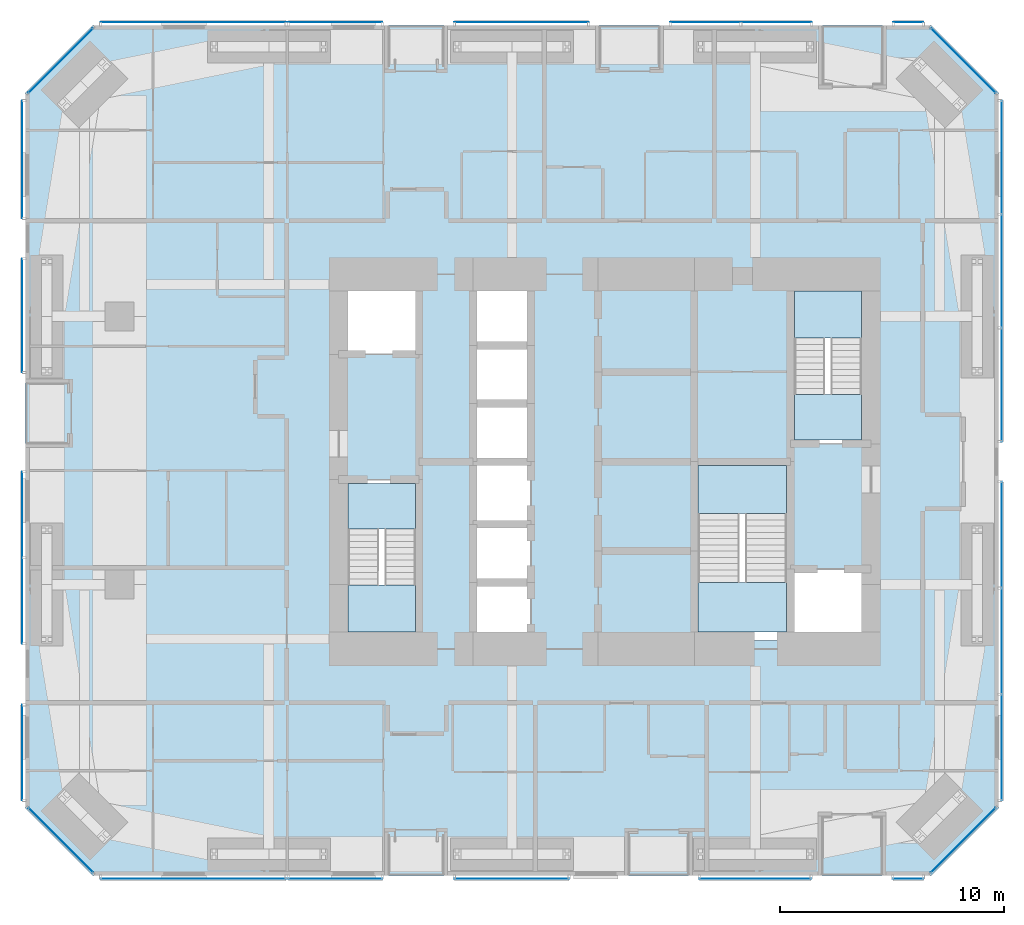
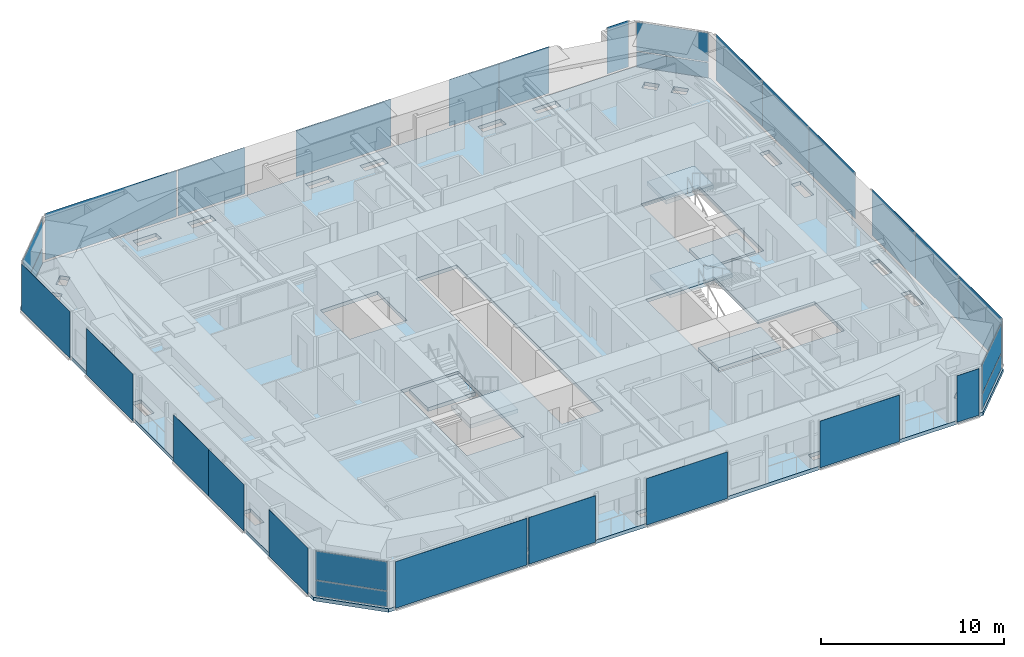
# One storey, part 16 of 25: 30 plates, 7 slabs, 23 elements without a shape of their own.
"""IFC4 building model written with IfcOpenShell, lengths in metres."""

from ifc_helpers import new_model, si_unit, direction, frame, origin, origin_2d, place, context, subcontext, project, spatial, polyline, rectangle, outline, extrude, material, layer, layer_set, type_object, element, aggregate, save


model = new_model("IFC4")

# Units and contexts
model_context = context("Model", 3, precision=1e-05, world=origin(), true_north=direction((0.0, 1.0)))
body_context = subcontext(model_context, "Body", "Model", "MODEL_VIEW")
ifc_project = project(units=[si_unit("LENGTHUNIT", "METRE"), si_unit("AREAUNIT", "SQUARE_METRE"), si_unit("VOLUMEUNIT", "CUBIC_METRE"), si_unit("PLANEANGLEUNIT", "RADIAN"), si_unit("MASSUNIT", "GRAM", prefix="KILO")], contexts=[model_context])

# Site, building, storey
site_placement = place(None, origin())
site = spatial("IfcSite", under=ifc_project, at=site_placement, CompositionType="ELEMENT")
building_placement = place(site_placement, origin())
building = spatial("IfcBuilding", under=site, at=building_placement, Name="Jalousie Tower", CompositionType="ELEMENT")
storey_placement = place(building_placement, frame((0.0, 0.0, 101.5)))
storey = spatial("IfcBuildingStorey", under=building, at=storey_placement, Name="L27", CompositionType="ELEMENT", Elevation=101.5)

# Curtain wall, plates
ifc_material_1 = material(Name="Aluminium curtain wall", Category="aluminium")
curtain_wall_type_1 = type_object("IfcCurtainWallType", Name="CORNER WINDOW WALL", PredefinedType="USERDEFINED", material=ifc_material_1)
curtain_wall_1_placement = place(storey_placement, origin())
curtain_wall_1 = element("IfcCurtainWall", 1, at=curtain_wall_1_placement, inside=storey, type_object=curtain_wall_type_1, Name="Corner Window Wall L27 2", ObjectType="CORNER WINDOW WALL", PredefinedType="USERDEFINED")
ifc_material_2 = material(Name="Laminated impact-rated spandrel glass", Category="glass")
ifc_layer_1 = layer(ifc_material_2, 0.028076171875)
ifc_layer_set_1 = layer_set([ifc_layer_1], Name="Laminated impact-rated spandrel glass")
plate_type_1 = type_object("IfcPlateType", Name="CORNER WINDOW WALL PANEL", PredefinedType="CURTAIN_PANEL", material=ifc_layer_set_1)
plate_1_placement = place(storey_placement, frame((47.9306640625, 1.5693359375, 0.06005859375), z_axis=(0.0, 0.0, 1.0), x_axis=(0.707106781187, 0.707106781187, 0.0)))
plate_1 = element("IfcPlate", 2, at=plate_1_placement, type_object=plate_type_1, Name="CW-C panel 1.1", PredefinedType="CURTAIN_PANEL", context=body_context, shape_type="SweptSolid", body=[
    extrude(rectangle(XDim=4.071533203125, YDim=0.028076171875, at=origin_2d()), origin(), (0.0, 0.0, 1.0), 1.010009765625),
])
plate_2_placement = place(storey_placement, frame((47.9306640625, 1.5693359375, 1.130126953125), z_axis=(0.0, 0.0, 1.0), x_axis=(0.707106781187, 0.707106781187, 0.0)))
plate_2 = element("IfcPlate", 3, at=plate_2_placement, type_object=plate_type_1, Name="CW-C panel 1.2", PredefinedType="CURTAIN_PANEL", context=body_context, shape_type="SweptSolid", body=[
    extrude(rectangle(XDim=4.071533203125, YDim=0.028076171875, at=origin_2d()), origin(), (0.0, 0.0, 1.0), 1.919921875),
])
aggregate(curtain_wall_1, [plate_1, plate_2])

curtain_wall_2_placement = place(storey_placement, origin())
curtain_wall_2 = element("IfcCurtainWall", 4, at=curtain_wall_2_placement, inside=storey, type_object=curtain_wall_type_1, Name="Corner Window Wall L27 4", ObjectType="CORNER WINDOW WALL", PredefinedType="USERDEFINED")
plate_3_placement = place(storey_placement, frame((47.9306640625, 36.4306640625, 0.06005859375), z_axis=(0.0, 0.0, 1.0), x_axis=(-0.707106781187, 0.707106781187, 0.0)))
plate_3 = element("IfcPlate", 5, at=plate_3_placement, type_object=plate_type_1, Name="CW-C panel 1.1", PredefinedType="CURTAIN_PANEL", context=body_context, shape_type="SweptSolid", body=[
    extrude(rectangle(XDim=4.071533203125, YDim=0.028076171875, at=origin_2d()), origin(), (0.0, 0.0, 1.0), 1.010009765625),
])
plate_4_placement = place(storey_placement, frame((47.9306640625, 36.4306640625, 1.130126953125), z_axis=(0.0, 0.0, 1.0), x_axis=(-0.707106781187, 0.707106781187, 0.0)))
plate_4 = element("IfcPlate", 6, at=plate_4_placement, type_object=plate_type_1, Name="CW-C panel 1.2", PredefinedType="CURTAIN_PANEL", context=body_context, shape_type="SweptSolid", body=[
    extrude(rectangle(XDim=4.071533203125, YDim=0.028076171875, at=origin_2d()), origin(), (0.0, 0.0, 1.0), 1.919921875),
])
aggregate(curtain_wall_2, [plate_3, plate_4])

curtain_wall_3_placement = place(storey_placement, origin())
curtain_wall_3 = element("IfcCurtainWall", 7, at=curtain_wall_3_placement, inside=storey, type_object=curtain_wall_type_1, Name="Corner Window Wall L27 6", ObjectType="CORNER WINDOW WALL", PredefinedType="USERDEFINED")
plate_5_placement = place(storey_placement, frame((7.5693359375, 36.4306640625, 0.06005859375), z_axis=(0.0, 0.0, 1.0), x_axis=(-0.707106781187, -0.707106781187, 0.0)))
plate_5 = element("IfcPlate", 8, at=plate_5_placement, type_object=plate_type_1, Name="CW-C panel 1.1", PredefinedType="CURTAIN_PANEL", context=body_context, shape_type="SweptSolid", body=[
    extrude(rectangle(XDim=4.071533203125, YDim=0.028076171875, at=origin_2d()), origin(), (0.0, 0.0, 1.0), 1.010009765625),
])
plate_6_placement = place(storey_placement, frame((7.5693359375, 36.4306640625, 1.130126953125), z_axis=(0.0, 0.0, 1.0), x_axis=(-0.707106781187, -0.707106781187, 0.0)))
plate_6 = element("IfcPlate", 9, at=plate_6_placement, type_object=plate_type_1, Name="CW-C panel 1.2", PredefinedType="CURTAIN_PANEL", context=body_context, shape_type="SweptSolid", body=[
    extrude(rectangle(XDim=4.071533203125, YDim=0.028076171875, at=origin_2d()), origin(), (0.0, 0.0, 1.0), 1.919921875),
])
aggregate(curtain_wall_3, [plate_5, plate_6])

curtain_wall_4_placement = place(storey_placement, origin())
curtain_wall_4 = element("IfcCurtainWall", 10, at=curtain_wall_4_placement, inside=storey, type_object=curtain_wall_type_1, Name="Corner Window Wall L27 8", ObjectType="CORNER WINDOW WALL", PredefinedType="USERDEFINED")
plate_7_placement = place(storey_placement, frame((7.5693359375, 1.5693359375, 0.06005859375), z_axis=(0.0, 0.0, 1.0), x_axis=(0.707106781187, -0.707106781187, 0.0)))
plate_7 = element("IfcPlate", 11, at=plate_7_placement, type_object=plate_type_1, Name="CW-C panel 1.1", PredefinedType="CURTAIN_PANEL", context=body_context, shape_type="SweptSolid", body=[
    extrude(rectangle(XDim=4.071533203125, YDim=0.028076171875, at=origin_2d()), origin(), (0.0, 0.0, 1.0), 1.010009765625),
])
plate_8_placement = place(storey_placement, frame((7.5693359375, 1.5693359375, 1.130126953125), z_axis=(0.0, 0.0, 1.0), x_axis=(0.707106781187, -0.707106781187, 0.0)))
plate_8 = element("IfcPlate", 12, at=plate_8_placement, type_object=plate_type_1, Name="CW-C panel 1.2", PredefinedType="CURTAIN_PANEL", context=body_context, shape_type="SweptSolid", body=[
    extrude(rectangle(XDim=4.071533203125, YDim=0.028076171875, at=origin_2d()), origin(), (0.0, 0.0, 1.0), 1.919921875),
])
aggregate(curtain_wall_4, [plate_7, plate_8])

# Slab
ifc_material_3 = material(Name="Concrete f'c 40 MPa", Category="concrete")
ifc_layer_2 = layer(ifc_material_3, 0.239990234375)
ifc_layer_set_2 = layer_set([ifc_layer_2], Name="Concrete f'c 40 MPa")
slab_type_1 = type_object("IfcSlabType", Name="FLOOR SLAB 240", PredefinedType="FLOOR", material=ifc_layer_set_2)
slab_1_placement = place(storey_placement, frame((0.0, 0.0, -0.239990234375)))
element("IfcSlab", 13, at=slab_1_placement, inside=storey, type_object=slab_type_1, Name="L27 floor slab", PredefinedType="FLOOR", context=body_context, shape_type="SweptSolid", body=[
    extrude(outline(polyline([(9.0, 0.0), (46.5, 0.0), (49.5, 3.0), (49.5, 35.0), (46.5, 38.0), (9.0, 38.0), (6.0, 35.0), (6.0, 3.0), (9.0, 0.0)]), holes=[polyline([(14.425048828125, 1.236083984375), (14.484619140625, 1.236083984375), (15.888916015625, 1.236083984375), (15.888916015625, 0.663818359375), (14.484619140625, 0.663818359375), (14.425048828125, 0.663818359375), (14.425048828125, 1.236083984375)]), polyline([(26.763916015625, 1.236083984375), (26.763916015625, 0.663818359375), (25.359619140625, 0.663818359375), (25.300048828125, 0.663818359375), (25.300048828125, 1.236083984375), (25.359619140625, 1.236083984375), (26.763916015625, 1.236083984375)]), polyline([(17.861083984375, 1.236083984375), (19.265380859375, 1.236083984375), (19.324951171875, 1.236083984375), (19.324951171875, 0.663818359375), (19.265380859375, 0.663818359375), (17.861083984375, 0.663818359375), (17.861083984375, 1.236083984375)]), polyline([(9.717529296875, 1.949951171875), (9.515380859375, 1.74755859375), (9.31298828125, 1.545166015625), (8.71435546875, 2.1435546875), (9.119140625, 2.54833984375), (9.717529296875, 1.949951171875), (9.717529296875, 1.949951171875)]), polyline([(8.1435546875, 2.71435546875), (7.545166015625, 3.31298828125), (7.949951171875, 3.717529296875), (8.041748046875, 3.625732421875), (8.54833984375, 3.119140625), (8.1435546875, 2.71435546875)]), polyline([(7.236083984375, 10.550048828125), (6.663818359375, 10.550048828125), (6.663818359375, 10.609619140625), (6.663818359375, 12.013916015625), (7.236083984375, 12.013916015625), (7.236083984375, 10.609619140625), (7.236083984375, 10.550048828125)]), polyline([(26.0, 10.5), (26.0, 26.5), (28.60009765625, 26.5), (28.60009765625, 10.5), (26.0, 10.5)]), polyline([(20.0, 10.5), (23.60009765625, 10.5), (23.60009765625, 17.699951171875), (20.0, 17.699951171875), (20.0, 10.5)]), polyline([(7.236083984375, 15.390380859375), (7.236083984375, 13.986083984375), (6.663818359375, 13.986083984375), (6.663818359375, 15.390380859375), (6.663818359375, 15.449951171875), (7.236083984375, 15.449951171875), (7.236083984375, 15.390380859375)]), polyline([(6.663818359375, 24.013916015625), (7.236083984375, 24.013916015625), (7.236083984375, 22.609619140625), (7.236083984375, 22.550048828125), (6.663818359375, 22.550048828125), (6.663818359375, 22.609619140625), (6.663818359375, 24.013916015625)]), polyline([(20.0, 23.300048828125), (23.60009765625, 23.300048828125), (23.60009765625, 26.5), (20.0, 26.5), (20.0, 23.300048828125)]), polyline([(7.236083984375, 25.986083984375), (6.663818359375, 25.986083984375), (6.663818359375, 27.390380859375), (6.663818359375, 27.449951171875), (7.236083984375, 27.449951171875), (7.236083984375, 27.390380859375), (7.236083984375, 25.986083984375)]), polyline([(7.545166015625, 34.68701171875), (7.545166015625, 34.68701171875), (7.545166015625, 34.68701171875), (7.6162109375, 34.75830078125), (8.1435546875, 35.28564453125), (8.54833984375, 34.880859375), (8.041748046875, 34.374267578125), (8.041748046875, 34.374267578125), (7.949951171875, 34.282470703125), (7.74755859375, 34.484619140625), (7.545166015625, 34.68701171875)]), polyline([(9.717529296875, 36.050048828125), (9.717529296875, 36.050048828125), (9.717529296875, 36.050048828125), (9.625732421875, 35.958251953125), (9.119140625, 35.45166015625), (8.71435546875, 35.8564453125), (9.220947265625, 36.363037109375), (9.220947265625, 36.363037109375), (9.31298828125, 36.454833984375), (9.515380859375, 36.25244140625), (9.717529296875, 36.050048828125)]), polyline([(26.763916015625, 36.763916015625), (25.359619140625, 36.763916015625), (25.300048828125, 36.763916015625), (25.300048828125, 37.336181640625), (25.359619140625, 37.336181640625), (26.763916015625, 37.336181640625), (26.763916015625, 36.763916015625)]), polyline([(19.324951171875, 37.336181640625), (19.324951171875, 36.763916015625), (19.265380859375, 36.763916015625), (17.861083984375, 36.763916015625), (17.861083984375, 37.336181640625), (19.265380859375, 37.336181640625), (19.324951171875, 37.336181640625)]), polyline([(14.425048828125, 36.763916015625), (14.425048828125, 37.336181640625), (14.484619140625, 37.336181640625), (15.888916015625, 37.336181640625), (15.888916015625, 36.763916015625), (14.484619140625, 36.763916015625), (14.425048828125, 36.763916015625)]), polyline([(28.736083984375, 0.663818359375), (28.736083984375, 1.236083984375), (30.140380859375, 1.236083984375), (30.199951171875, 1.236083984375), (30.199951171875, 0.663818359375), (30.140380859375, 0.663818359375), (28.736083984375, 0.663818359375)]), polyline([(36.234619140625, 0.663818359375), (36.175048828125, 0.663818359375), (36.175048828125, 1.236083984375), (36.234619140625, 1.236083984375), (37.638916015625, 1.236083984375), (37.638916015625, 0.663818359375), (36.234619140625, 0.663818359375)]), polyline([(41.015380859375, 1.236083984375), (41.074951171875, 1.236083984375), (41.074951171875, 0.663818359375), (41.015380859375, 0.663818359375), (39.611083984375, 0.663818359375), (39.611083984375, 1.236083984375), (41.015380859375, 1.236083984375)]), polyline([(46.18701171875, 1.545166015625), (45.782470703125, 1.949951171875), (45.874267578125, 2.041748046875), (46.380859375, 2.54833984375), (46.78564453125, 2.1435546875), (46.279052734375, 1.636962890625), (46.18701171875, 1.545166015625)]), polyline([(47.458251953125, 3.625732421875), (47.550048828125, 3.717529296875), (47.550048828125, 3.717529296875), (47.550048828125, 3.717529296875), (47.75244140625, 3.515380859375), (47.954833984375, 3.31298828125), (47.863037109375, 3.220947265625), (47.863037109375, 3.220947265625), (47.3564453125, 2.71435546875), (46.95166015625, 3.119140625), (47.458251953125, 3.625732421875)]), polyline([(48.836181640625, 10.550048828125), (48.263916015625, 10.550048828125), (48.263916015625, 10.609619140625), (48.263916015625, 12.013916015625), (48.836181640625, 12.013916015625), (48.836181640625, 10.609619140625), (48.836181640625, 10.550048828125)]), polyline([(35.89990234375, 18.5), (40.199951171875, 18.5), (40.199951171875, 13.699951171875), (43.800048828125, 13.699951171875), (43.800048828125, 10.5), (35.89990234375, 10.5), (35.89990234375, 18.5)]), polyline([(48.836181640625, 13.986083984375), (48.263916015625, 13.986083984375), (48.263916015625, 15.390380859375), (48.263916015625, 15.449951171875), (48.836181640625, 15.449951171875), (48.836181640625, 15.390380859375), (48.836181640625, 13.986083984375)]), polyline([(40.199951171875, 19.300048828125), (43.800048828125, 19.300048828125), (43.800048828125, 26.5), (40.199951171875, 26.5), (40.199951171875, 19.300048828125)]), polyline([(48.836181640625, 22.550048828125), (48.263916015625, 22.550048828125), (48.263916015625, 22.609619140625), (48.263916015625, 24.013916015625), (48.836181640625, 24.013916015625), (48.836181640625, 22.609619140625), (48.836181640625, 22.550048828125)]), polyline([(48.836181640625, 27.390380859375), (48.836181640625, 25.986083984375), (48.263916015625, 25.986083984375), (48.263916015625, 27.390380859375), (48.263916015625, 27.449951171875), (48.836181640625, 27.449951171875), (48.836181640625, 27.390380859375)]), polyline([(47.3564453125, 35.28564453125), (47.954833984375, 34.68701171875), (47.550048828125, 34.282470703125), (47.458251953125, 34.374267578125), (46.95166015625, 34.880859375), (47.3564453125, 35.28564453125)]), polyline([(46.380859375, 35.45166015625), (45.874267578125, 35.958251953125), (45.782470703125, 36.050048828125), (46.18701171875, 36.454833984375), (46.78564453125, 35.8564453125), (46.380859375, 35.45166015625)]), polyline([(41.015380859375, 37.336181640625), (41.074951171875, 37.336181640625), (41.074951171875, 36.763916015625), (41.015380859375, 36.763916015625), (39.611083984375, 36.763916015625), (39.611083984375, 37.336181640625), (41.015380859375, 37.336181640625)]), polyline([(37.638916015625, 37.336181640625), (37.638916015625, 36.763916015625), (36.234619140625, 36.763916015625), (36.175048828125, 36.763916015625), (36.175048828125, 37.336181640625), (36.234619140625, 37.336181640625), (37.638916015625, 37.336181640625)]), polyline([(28.736083984375, 37.336181640625), (30.140380859375, 37.336181640625), (30.199951171875, 37.336181640625), (30.199951171875, 36.763916015625), (30.140380859375, 36.763916015625), (28.736083984375, 36.763916015625), (28.736083984375, 37.336181640625)])]), origin(), (0.0, 0.0, 1.0), 0.239990234375),
])

# Curtain wall, plate
ifc_material_4 = material(Name="Perforated aluminium sheet", Category="aluminium")
curtain_wall_type_2 = type_object("IfcCurtainWallType", Name="SOLAR SCREEN SS-1", PredefinedType="USERDEFINED", material=ifc_material_4)
curtain_wall_5_placement = place(storey_placement, origin())
curtain_wall_5 = element("IfcCurtainWall", 14, at=curtain_wall_5_placement, inside=storey, type_object=curtain_wall_type_2, Name="Solar screen L27", ObjectType="SOLAR SCREEN SS-1", PredefinedType="USERDEFINED")
ifc_material_5 = material(Name="Perforated aluminium sheet", Category="aluminium")
ifc_layer_3 = layer(ifc_material_5, 0.006103515625)
ifc_layer_set_3 = layer_set([ifc_layer_3], Name="Perforated aluminium sheet")
plate_type_2 = type_object("IfcPlateType", Name="SOLAR SCREEN SS-1 PANEL", PredefinedType="CURTAIN_PANEL", material=ifc_layer_set_3)
plate_9_placement = place(storey_placement, frame((13.500732421875, -0.150390625, 0.0), z_axis=(0.0, 0.0, 1.0), x_axis=(1.0, 0.0, 0.0)))
plate_9 = element("IfcPlate", 15, at=plate_9_placement, type_object=plate_type_2, Name="SS1 perforated panel 1", PredefinedType="CURTAIN_PANEL", context=body_context, shape_type="SweptSolid", body=[
    extrude(rectangle(XDim=8.298583984375, YDim=0.006103515625, at=origin_2d()), origin(), (0.0, 0.0, 1.0), 3.110107421875),
])
aggregate(curtain_wall_5, [plate_9])

curtain_wall_6_placement = place(storey_placement, origin())
curtain_wall_6 = element("IfcCurtainWall", 16, at=curtain_wall_6_placement, inside=storey, type_object=curtain_wall_type_2, Name="Solar screen L27", ObjectType="SOLAR SCREEN SS-1", PredefinedType="USERDEFINED")
plate_10_placement = place(storey_placement, frame((19.85009765625, -0.150390625, 0.0), z_axis=(0.0, 0.0, 1.0), x_axis=(1.0, 0.0, 0.0)))
plate_10 = element("IfcPlate", 17, at=plate_10_placement, type_object=plate_type_2, Name="SS1 perforated panel 1", PredefinedType="CURTAIN_PANEL", context=body_context, shape_type="SweptSolid", body=[
    extrude(rectangle(XDim=4.199951171875, YDim=0.006103515625, at=origin_2d()), origin(), (0.0, 0.0, 1.0), 3.110107421875),
])
aggregate(curtain_wall_6, [plate_10])

curtain_wall_7_placement = place(storey_placement, origin())
curtain_wall_7 = element("IfcCurtainWall", 18, at=curtain_wall_7_placement, inside=storey, type_object=curtain_wall_type_2, Name="Solar screen L27", ObjectType="SOLAR SCREEN SS-1", PredefinedType="USERDEFINED")
plate_11_placement = place(storey_placement, frame((27.737548828125, -0.150390625, 0.0), z_axis=(0.0, 0.0, 1.0), x_axis=(1.0, 0.0, 0.0)))
plate_11 = element("IfcPlate", 19, at=plate_11_placement, type_object=plate_type_2, Name="SS1 perforated panel 1", PredefinedType="CURTAIN_PANEL", context=body_context, shape_type="SweptSolid", body=[
    extrude(rectangle(XDim=5.125, YDim=0.006103515625, at=origin_2d()), origin(), (0.0, 0.0, 1.0), 3.110107421875),
])
aggregate(curtain_wall_7, [plate_11])

curtain_wall_8_placement = place(storey_placement, origin())
curtain_wall_8 = element("IfcCurtainWall", 20, at=curtain_wall_8_placement, inside=storey, type_object=curtain_wall_type_2, Name="Solar screen L27", ObjectType="SOLAR SCREEN SS-1", PredefinedType="USERDEFINED")
plate_12_placement = place(storey_placement, frame((38.625, -0.150390625, 0.0), z_axis=(0.0, 0.0, 1.0), x_axis=(1.0, 0.0, 0.0)))
plate_12 = element("IfcPlate", 21, at=plate_12_placement, type_object=plate_type_2, Name="SS1 perforated panel 1", PredefinedType="CURTAIN_PANEL", context=body_context, shape_type="SweptSolid", body=[
    extrude(rectangle(XDim=5.0, YDim=0.006103515625, at=origin_2d()), origin(), (0.0, 0.0, 1.0), 3.110107421875),
])
aggregate(curtain_wall_8, [plate_12])

curtain_wall_9_placement = place(storey_placement, origin())
curtain_wall_9 = element("IfcCurtainWall", 22, at=curtain_wall_9_placement, inside=storey, type_object=curtain_wall_type_2, Name="Solar screen L27", ObjectType="SOLAR SCREEN SS-1", PredefinedType="USERDEFINED")
plate_13_placement = place(storey_placement, frame((45.4619140625, -0.150390625, 0.0), z_axis=(0.0, 0.0, 1.0), x_axis=(1.0, 0.0, 0.0)))
plate_13 = element("IfcPlate", 23, at=plate_13_placement, type_object=plate_type_2, Name="SS1 perforated panel 1", PredefinedType="CURTAIN_PANEL", context=body_context, shape_type="SweptSolid", body=[
    extrude(rectangle(XDim=1.373779296875, YDim=0.006103515625, at=origin_2d()), origin(), (0.0, 0.0, 1.0), 3.110107421875),
])
aggregate(curtain_wall_9, [plate_13])

# Curtain wall, plates
curtain_wall_10_placement = place(storey_placement, origin())
curtain_wall_10 = element("IfcCurtainWall", 24, at=curtain_wall_10_placement, inside=storey, type_object=curtain_wall_type_2, Name="Solar screen L27", ObjectType="SOLAR SCREEN SS-1", PredefinedType="USERDEFINED")
plate_14_placement = place(storey_placement, frame((49.650390625, 5.72607421875, 0.0), z_axis=(0.0, 0.0, 1.0), x_axis=(0.0, 1.0, 0.0)))
plate_14 = element("IfcPlate", 25, at=plate_14_placement, type_object=plate_type_2, Name="SS1 perforated panel 1", PredefinedType="CURTAIN_PANEL", context=body_context, shape_type="SweptSolid", body=[
    extrude(rectangle(XDim=4.74951171875, YDim=0.006103515625, at=origin_2d()), origin(), (0.0, 0.0, 1.0), 3.110107421875),
])
plate_15_placement = place(storey_placement, frame((49.650390625, 10.4755859375, 0.0), z_axis=(0.0, 0.0, 1.0), x_axis=(0.0, 1.0, 0.0)))
plate_15 = element("IfcPlate", 26, at=plate_15_placement, type_object=plate_type_2, Name="SS1 perforated panel 2", PredefinedType="CURTAIN_PANEL", context=body_context, shape_type="SweptSolid", body=[
    extrude(rectangle(XDim=4.74951171875, YDim=0.006103515625, at=origin_2d()), origin(), (0.0, 0.0, 1.0), 3.110107421875),
])
plate_16_placement = place(storey_placement, frame((49.650390625, 15.22509765625, 0.0), z_axis=(0.0, 0.0, 1.0), x_axis=(0.0, 1.0, 0.0)))
plate_16 = element("IfcPlate", 27, at=plate_16_placement, type_object=plate_type_2, Name="SS1 perforated panel 3", PredefinedType="CURTAIN_PANEL", context=body_context, shape_type="SweptSolid", body=[
    extrude(rectangle(XDim=4.74951171875, YDim=0.006103515625, at=origin_2d()), origin(), (0.0, 0.0, 1.0), 3.110107421875),
])
aggregate(curtain_wall_10, [plate_14, plate_15, plate_16])

curtain_wall_11_placement = place(storey_placement, origin())
curtain_wall_11 = element("IfcCurtainWall", 28, at=curtain_wall_11_placement, inside=storey, type_object=curtain_wall_type_2, Name="Solar screen L27", ObjectType="SOLAR SCREEN SS-1", PredefinedType="USERDEFINED")
plate_17_placement = place(storey_placement, frame((49.650390625, 21.94140625, 0.0), z_axis=(0.0, 0.0, 1.0), x_axis=(0.0, 1.0, 0.0)))
plate_17 = element("IfcPlate", 29, at=plate_17_placement, type_object=plate_type_2, Name="SS1 perforated panel 1", PredefinedType="CURTAIN_PANEL", context=body_context, shape_type="SweptSolid", body=[
    extrude(rectangle(XDim=5.0830078125, YDim=0.006103515625, at=origin_2d()), origin(), (0.0, 0.0, 1.0), 3.110107421875),
])
plate_18_placement = place(storey_placement, frame((49.650390625, 27.0244140625, 0.0), z_axis=(0.0, 0.0, 1.0), x_axis=(0.0, 1.0, 0.0)))
plate_18 = element("IfcPlate", 30, at=plate_18_placement, type_object=plate_type_2, Name="SS1 perforated panel 2", PredefinedType="CURTAIN_PANEL", context=body_context, shape_type="SweptSolid", body=[
    extrude(rectangle(XDim=5.0830078125, YDim=0.006103515625, at=origin_2d()), origin(), (0.0, 0.0, 1.0), 3.110107421875),
])
plate_19_placement = place(storey_placement, frame((49.650390625, 32.107177734375, 0.0), z_axis=(0.0, 0.0, 1.0), x_axis=(0.0, 1.0, 0.0)))
plate_19 = element("IfcPlate", 31, at=plate_19_placement, type_object=plate_type_2, Name="SS1 perforated panel 3", PredefinedType="CURTAIN_PANEL", context=body_context, shape_type="SweptSolid", body=[
    extrude(rectangle(XDim=5.0830078125, YDim=0.006103515625, at=origin_2d()), origin(), (0.0, 0.0, 1.0), 3.110107421875),
])
aggregate(curtain_wall_11, [plate_17, plate_18, plate_19])

# Curtain wall, plate
curtain_wall_12_placement = place(storey_placement, origin())
curtain_wall_12 = element("IfcCurtainWall", 32, at=curtain_wall_12_placement, inside=storey, type_object=curtain_wall_type_2, Name="Solar screen L27", ObjectType="SOLAR SCREEN SS-1", PredefinedType="USERDEFINED")
plate_20_placement = place(storey_placement, frame((45.4736328125, 38.150390625, 0.0), z_axis=(0.0, 0.0, 1.0), x_axis=(-1.0, 0.0, 0.0)))
plate_20 = element("IfcPlate", 33, at=plate_20_placement, type_object=plate_type_2, Name="SS1 perforated panel 1", PredefinedType="CURTAIN_PANEL", context=body_context, shape_type="SweptSolid", body=[
    extrude(rectangle(XDim=1.35009765625, YDim=0.006103515625, at=origin_2d()), origin(), (0.0, 0.0, 1.0), 3.110107421875),
])
aggregate(curtain_wall_12, [plate_20])

# Curtain wall, plates
curtain_wall_13_placement = place(storey_placement, origin())
curtain_wall_13 = element("IfcCurtainWall", 34, at=curtain_wall_13_placement, inside=storey, type_object=curtain_wall_type_2, Name="Solar screen L27", ObjectType="SOLAR SCREEN SS-1", PredefinedType="USERDEFINED")
plate_21_placement = place(storey_placement, frame((39.56787109375, 38.150390625, 0.0), z_axis=(0.0, 0.0, 1.0), x_axis=(-1.0, 0.0, 0.0)))
plate_21 = element("IfcPlate", 35, at=plate_21_placement, type_object=plate_type_2, Name="SS1 perforated panel 1", PredefinedType="CURTAIN_PANEL", context=body_context, shape_type="SweptSolid", body=[
    extrude(rectangle(XDim=3.161865234375, YDim=0.006103515625, at=origin_2d()), origin(), (0.0, 0.0, 1.0), 3.110107421875),
])
plate_22_placement = place(storey_placement, frame((36.406005859375, 38.150390625, 0.0), z_axis=(0.0, 0.0, 1.0), x_axis=(-1.0, 0.0, 0.0)))
plate_22 = element("IfcPlate", 36, at=plate_22_placement, type_object=plate_type_2, Name="SS1 perforated panel 2", PredefinedType="CURTAIN_PANEL", context=body_context, shape_type="SweptSolid", body=[
    extrude(rectangle(XDim=3.161865234375, YDim=0.006103515625, at=origin_2d()), origin(), (0.0, 0.0, 1.0), 3.110107421875),
])
aggregate(curtain_wall_13, [plate_21, plate_22])

# Curtain wall, plate
curtain_wall_14_placement = place(storey_placement, origin())
curtain_wall_14 = element("IfcCurtainWall", 37, at=curtain_wall_14_placement, inside=storey, type_object=curtain_wall_type_2, Name="Solar screen L27", ObjectType="SOLAR SCREEN SS-1", PredefinedType="USERDEFINED")
plate_23_placement = place(storey_placement, frame((28.175048828125, 38.150390625, 0.0), z_axis=(0.0, 0.0, 1.0), x_axis=(-1.0, 0.0, 0.0)))
plate_23 = element("IfcPlate", 38, at=plate_23_placement, type_object=plate_type_2, Name="SS1 perforated panel 1", PredefinedType="CURTAIN_PANEL", context=body_context, shape_type="SweptSolid", body=[
    extrude(rectangle(XDim=6.0, YDim=0.006103515625, at=origin_2d()), origin(), (0.0, 0.0, 1.0), 3.110107421875),
])
aggregate(curtain_wall_14, [plate_23])

curtain_wall_15_placement = place(storey_placement, origin())
curtain_wall_15 = element("IfcCurtainWall", 39, at=curtain_wall_15_placement, inside=storey, type_object=curtain_wall_type_2, Name="Solar screen L27", ObjectType="SOLAR SCREEN SS-1", PredefinedType="USERDEFINED")
plate_24_placement = place(storey_placement, frame((19.85009765625, 38.150390625, 0.0), z_axis=(0.0, 0.0, 1.0), x_axis=(-1.0, 0.0, 0.0)))
plate_24 = element("IfcPlate", 40, at=plate_24_placement, type_object=plate_type_2, Name="SS1 perforated panel 1", PredefinedType="CURTAIN_PANEL", context=body_context, shape_type="SweptSolid", body=[
    extrude(rectangle(XDim=4.199951171875, YDim=0.006103515625, at=origin_2d()), origin(), (0.0, 0.0, 1.0), 3.110107421875),
])
aggregate(curtain_wall_15, [plate_24])

curtain_wall_16_placement = place(storey_placement, origin())
curtain_wall_16 = element("IfcCurtainWall", 41, at=curtain_wall_16_placement, inside=storey, type_object=curtain_wall_type_2, Name="Solar screen L27", ObjectType="SOLAR SCREEN SS-1", PredefinedType="USERDEFINED")
plate_25_placement = place(storey_placement, frame((13.500732421875, 38.150390625, 0.0), z_axis=(0.0, 0.0, 1.0), x_axis=(-1.0, 0.0, 0.0)))
plate_25 = element("IfcPlate", 42, at=plate_25_placement, type_object=plate_type_2, Name="SS1 perforated panel 1", PredefinedType="CURTAIN_PANEL", context=body_context, shape_type="SweptSolid", body=[
    extrude(rectangle(XDim=8.298583984375, YDim=0.006103515625, at=origin_2d()), origin(), (0.0, 0.0, 1.0), 3.110107421875),
])
aggregate(curtain_wall_16, [plate_25])

curtain_wall_17_placement = place(storey_placement, origin())
curtain_wall_17 = element("IfcCurtainWall", 43, at=curtain_wall_17_placement, inside=storey, type_object=curtain_wall_type_2, Name="Solar screen L27", ObjectType="SOLAR SCREEN SS-1", PredefinedType="USERDEFINED")
plate_26_placement = place(storey_placement, frame((5.849609375, 32.01171875, 0.0), z_axis=(0.0, 0.0, 1.0), x_axis=(0.0, -1.0, 0.0)))
plate_26 = element("IfcPlate", 44, at=plate_26_placement, type_object=plate_type_2, Name="SS1 perforated panel 1", PredefinedType="CURTAIN_PANEL", context=body_context, shape_type="SweptSolid", body=[
    extrude(rectangle(XDim=5.273681640625, YDim=0.006103515625, at=origin_2d()), origin(), (0.0, 0.0, 1.0), 3.110107421875),
])
aggregate(curtain_wall_17, [plate_26])

curtain_wall_18_placement = place(storey_placement, origin())
curtain_wall_18 = element("IfcCurtainWall", 45, at=curtain_wall_18_placement, inside=storey, type_object=curtain_wall_type_2, Name="Solar screen L27", ObjectType="SOLAR SCREEN SS-1", PredefinedType="USERDEFINED")
plate_27_placement = place(storey_placement, frame((5.849609375, 25.03125, 0.0), z_axis=(0.0, 0.0, 1.0), x_axis=(0.0, -1.0, 0.0)))
plate_27 = element("IfcPlate", 46, at=plate_27_placement, type_object=plate_type_2, Name="SS1 perforated panel 1", PredefinedType="CURTAIN_PANEL", context=body_context, shape_type="SweptSolid", body=[
    extrude(rectangle(XDim=5.08740234375, YDim=0.006103515625, at=origin_2d()), origin(), (0.0, 0.0, 1.0), 3.110107421875),
])
aggregate(curtain_wall_18, [plate_27])

# Curtain wall, plates
curtain_wall_19_placement = place(storey_placement, origin())
curtain_wall_19 = element("IfcCurtainWall", 47, at=curtain_wall_19_placement, inside=storey, type_object=curtain_wall_type_2, Name="Solar screen L27", ObjectType="SOLAR SCREEN SS-1", PredefinedType="USERDEFINED")
plate_28_placement = place(storey_placement, frame((5.849609375, 16.1279296875, 0.0), z_axis=(0.0, 0.0, 1.0), x_axis=(0.0, -1.0, 0.0)))
plate_28 = element("IfcPlate", 48, at=plate_28_placement, type_object=plate_type_2, Name="SS1 perforated panel 1", PredefinedType="CURTAIN_PANEL", context=body_context, shape_type="SweptSolid", body=[
    extrude(rectangle(XDim=3.843994140625, YDim=0.006103515625, at=origin_2d()), origin(), (0.0, 0.0, 1.0), 3.110107421875),
])
plate_29_placement = place(storey_placement, frame((5.849609375, 12.283935546875, 0.0), z_axis=(0.0, 0.0, 1.0), x_axis=(0.0, -1.0, 0.0)))
plate_29 = element("IfcPlate", 49, at=plate_29_placement, type_object=plate_type_2, Name="SS1 perforated panel 2", PredefinedType="CURTAIN_PANEL", context=body_context, shape_type="SweptSolid", body=[
    extrude(rectangle(XDim=3.843994140625, YDim=0.006103515625, at=origin_2d()), origin(), (0.0, 0.0, 1.0), 3.110107421875),
])
aggregate(curtain_wall_19, [plate_28, plate_29])

# Curtain wall, plate
curtain_wall_20_placement = place(storey_placement, origin())
curtain_wall_20 = element("IfcCurtainWall", 50, at=curtain_wall_20_placement, inside=storey, type_object=curtain_wall_type_2, Name="Solar screen L27", ObjectType="SOLAR SCREEN SS-1", PredefinedType="USERDEFINED")
plate_30_placement = place(storey_placement, frame((5.849609375, 5.48828125, 0.0), z_axis=(0.0, 0.0, 1.0), x_axis=(0.0, -1.0, 0.0)))
plate_30 = element("IfcPlate", 51, at=plate_30_placement, type_object=plate_type_2, Name="SS1 perforated panel 1", PredefinedType="CURTAIN_PANEL", context=body_context, shape_type="SweptSolid", body=[
    extrude(rectangle(XDim=4.273681640625, YDim=0.006103515625, at=origin_2d()), origin(), (0.0, 0.0, 1.0), 3.110107421875),
])
aggregate(curtain_wall_20, [plate_30])

# Stair, slabs
ifc_material_6 = material(Name="Concrete f'c 40 MPa", Category="concrete")
stair_type = type_object("IfcStairType", Name="EXIT STAIR", PredefinedType="HALF_TURN_STAIR", material=ifc_material_6)
stair_1_placement = place(storey_placement, origin())
stair_1 = element("IfcStair", 52, at=stair_1_placement, inside=storey, type_object=stair_type, Name="Exit stair A L27", PredefinedType="HALF_TURN_STAIR")
ifc_material_7 = material(Name="Concrete f'c 40 MPa", Category="concrete")
ifc_layer_4 = layer(ifc_material_7, 0.25)
ifc_layer_set_4 = layer_set([ifc_layer_4], Name="Concrete f'c 40 MPa")
slab_type_2 = type_object("IfcSlabType", Name="STAIR LANDING 250", PredefinedType="LANDING", material=ifc_layer_set_4)
slab_2_placement = place(storey_placement, frame((0.0, 0.0, -0.25)))
slab_2 = element("IfcSlab", 53, at=slab_2_placement, type_object=slab_type_2, Name="ST-A landing 1", PredefinedType="LANDING", context=body_context, shape_type="SweptSolid", body=[
    extrude(outline(polyline([(20.425048828125, 15.49755859375), (23.425048828125, 15.49755859375), (23.425048828125, 17.52490234375), (20.425048828125, 17.52490234375), (20.425048828125, 15.49755859375)])), origin(), (0.0, 0.0, 1.0), 0.25),
])
slab_3_placement = place(storey_placement, frame((0.0, 0.0, 1.425048828125)))
slab_3 = element("IfcSlab", 54, at=slab_3_placement, type_object=slab_type_2, Name="ST-A landing 2", PredefinedType="LANDING", context=body_context, shape_type="SweptSolid", body=[
    extrude(outline(polyline([(20.425048828125, 10.875), (23.425048828125, 10.875), (23.425048828125, 12.9775390625), (20.425048828125, 12.9775390625), (20.425048828125, 10.875)])), origin(), (0.0, 0.0, 1.0), 0.25),
])
aggregate(stair_1, [slab_2, slab_3])

stair_2_placement = place(storey_placement, origin())
stair_2 = element("IfcStair", 55, at=stair_2_placement, inside=storey, type_object=stair_type, Name="Exit stair B L27", PredefinedType="HALF_TURN_STAIR")
slab_4_placement = place(storey_placement, frame((0.0, 0.0, -0.25)))
slab_4 = element("IfcSlab", 56, at=slab_4_placement, type_object=slab_type_2, Name="ST-B landing 1", PredefinedType="LANDING", context=body_context, shape_type="SweptSolid", body=[
    extrude(outline(polyline([(40.375, 19.47509765625), (43.375, 19.47509765625), (43.375, 21.50244140625), (40.375, 21.50244140625), (40.375, 19.47509765625)])), origin(), (0.0, 0.0, 1.0), 0.25),
])
slab_5_placement = place(storey_placement, frame((0.0, 0.0, 1.425048828125)))
slab_5 = element("IfcSlab", 57, at=slab_5_placement, type_object=slab_type_2, Name="ST-B landing 2", PredefinedType="LANDING", context=body_context, shape_type="SweptSolid", body=[
    extrude(outline(polyline([(40.375, 24.0224609375), (43.375, 24.0224609375), (43.375, 26.125), (40.375, 26.125), (40.375, 24.0224609375)])), origin(), (0.0, 0.0, 1.0), 0.25),
])
aggregate(stair_2, [slab_4, slab_5])

stair_3_placement = place(storey_placement, origin())
stair_3 = element("IfcStair", 58, at=stair_3_placement, inside=storey, type_object=stair_type, Name="Exit stair C L27", PredefinedType="HALF_TURN_STAIR")
slab_6_placement = place(storey_placement, frame((0.0, 0.0, -0.25)))
slab_6 = element("IfcSlab", 59, at=slab_6_placement, type_object=slab_type_2, Name="ST-C landing 1", PredefinedType="LANDING", context=body_context, shape_type="SweptSolid", body=[
    extrude(outline(polyline([(36.074951171875, 10.875), (40.02490234375, 10.875), (40.02490234375, 13.097412109375), (36.074951171875, 13.097412109375), (36.074951171875, 10.875)])), origin(), (0.0, 0.0, 1.0), 0.25),
])
slab_7_placement = place(storey_placement, frame((0.0, 0.0, 1.425048828125)))
slab_7 = element("IfcSlab", 60, at=slab_7_placement, type_object=slab_type_2, Name="ST-C landing 2", PredefinedType="LANDING", context=body_context, shape_type="SweptSolid", body=[
    extrude(outline(polyline([(36.074951171875, 16.177490234375), (40.02490234375, 16.177490234375), (40.02490234375, 18.324951171875), (36.074951171875, 18.324951171875), (36.074951171875, 16.177490234375)])), origin(), (0.0, 0.0, 1.0), 0.25),
])
aggregate(stair_3, [slab_6, slab_7])

save(model, "model.ifc")
